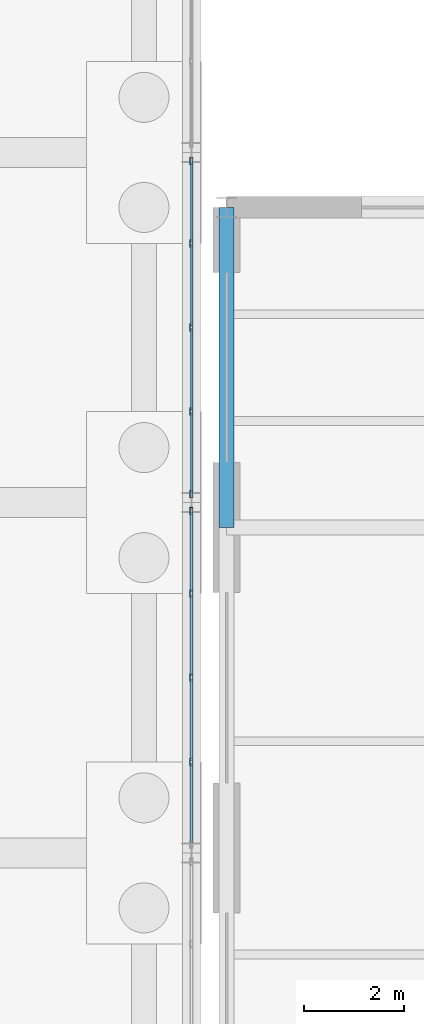
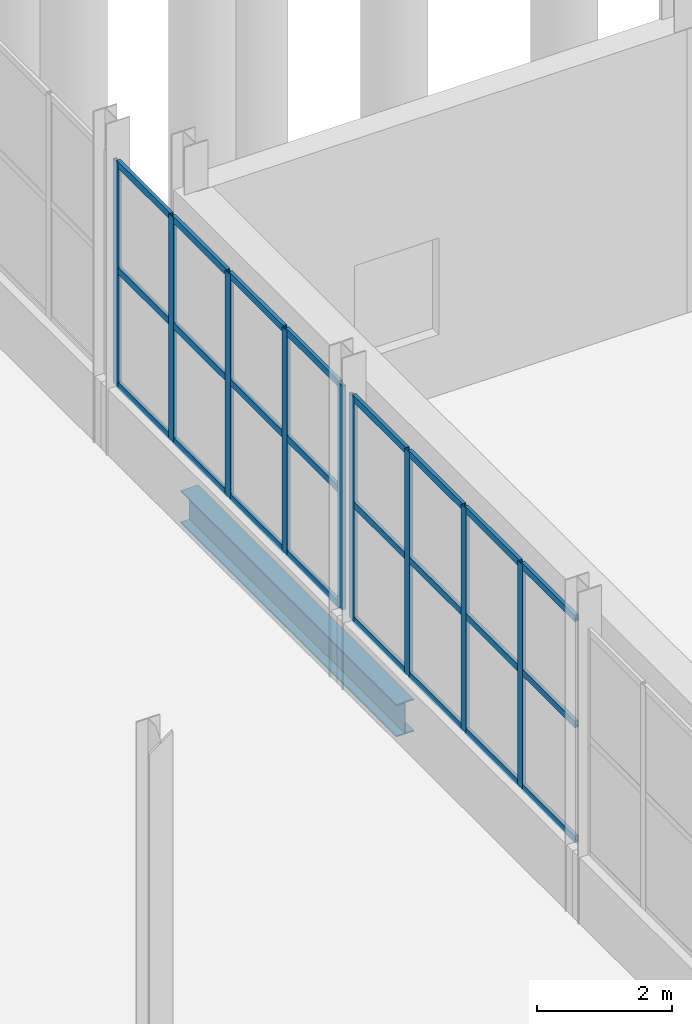
# One storey, part 63 of 139: 33 members, 1 beam, 2 elements without a shape of their own.
"""IFC4 building model written with IfcOpenShell, lengths in metres."""

from ifc_helpers import new_model, si_unit, direction, frame, origin, origin_2d, place, context, subcontext, project, spatial, hollow_rectangle, i_section, extrude, material, material_profile, profile_set, type_object, element, aggregate, save


model = new_model("IFC4")

# Units and contexts
model_context = context("Model", 3, precision=1e-05, world=origin(), true_north=direction((0.0, 1.0)))
body_context = subcontext(model_context, "Body", "Model", "MODEL_VIEW")
ifc_project = project(units=[si_unit("LENGTHUNIT", "METRE"), si_unit("AREAUNIT", "SQUARE_METRE"), si_unit("VOLUMEUNIT", "CUBIC_METRE"), si_unit("PLANEANGLEUNIT", "RADIAN"), si_unit("MASSUNIT", "GRAM", prefix="KILO")], contexts=[model_context])

# Site, building, storey
site_placement = place(None, origin())
site = spatial("IfcSite", under=ifc_project, at=site_placement, CompositionType="ELEMENT")
building_placement = place(site_placement, origin())
building = spatial("IfcBuilding", under=site, at=building_placement, Name="Kazenagashi Tramway Depot", CompositionType="ELEMENT")
storey_placement = place(building_placement, origin())
storey = spatial("IfcBuildingStorey", under=building, at=storey_placement, Name="L01", CompositionType="ELEMENT", Elevation=0.0)

# Curtain wall, members
ifc_material_1 = material(Name="Anodised Aluminium and Low-E Glazing", Category="aluminium")
curtain_wall_type = type_object("IfcCurtainWallType", Name="CW-33", PredefinedType="USERDEFINED", material=ifc_material_1)
curtain_wall_1_placement = place(storey_placement, origin())
curtain_wall_1 = element("IfcCurtainWall", 1, at=curtain_wall_1_placement, inside=storey, type_object=curtain_wall_type, Name="Industrial Glazed Screen CW-33 CW-0191", ObjectType="GLAZED SCREEN", PredefinedType="USERDEFINED")
ifc_material_2 = material(Name="Anodised Aluminium", Category="aluminium")
ifc_material_profile_1 = material_profile(ifc_material_2, hollow_rectangle(XDim=0.06, YDim=0.15, WallThickness=0.004, at=origin_2d()), Name="RHS-150x60x4")
ifc_profile_set_1 = profile_set([ifc_material_profile_1], Name="Anodised Aluminium")
member_type_1 = type_object("IfcMemberType", Name="ML-01", PredefinedType="MULLION", material=ifc_profile_set_1)
member_1_placement = place(storey_placement, frame((44.1, 43.82, 1.2), z_axis=(0.0, 0.0, 1.0), x_axis=(-1.0, 0.0, 0.0)))
member_1 = element("IfcMember", 2, at=member_1_placement, type_object=member_type_1, Name="CW-33 mullion 2", PredefinedType="MULLION", context=body_context, shape_type="SweptSolid", body=[
    extrude(hollow_rectangle(XDim=0.06, YDim=0.15, WallThickness=0.004, at=origin_2d()), origin(), (0.0, 0.0, 1.0), 4.062),
])
member_2_placement = place(storey_placement, frame((44.1, 45.5, 1.2), z_axis=(0.0, 0.0, 1.0), x_axis=(-1.0, 0.0, 0.0)))
member_2 = element("IfcMember", 3, at=member_2_placement, type_object=member_type_1, Name="CW-33 mullion 3", PredefinedType="MULLION", context=body_context, shape_type="SweptSolid", body=[
    extrude(hollow_rectangle(XDim=0.06, YDim=0.15, WallThickness=0.004, at=origin_2d()), origin(), (0.0, 0.0, 1.0), 4.062),
])
member_3_placement = place(storey_placement, frame((44.1, 47.18, 1.2), z_axis=(0.0, 0.0, 1.0), x_axis=(-1.0, 0.0, 0.0)))
member_3 = element("IfcMember", 4, at=member_3_placement, type_object=member_type_1, Name="CW-33 mullion 4", PredefinedType="MULLION", context=body_context, shape_type="SweptSolid", body=[
    extrude(hollow_rectangle(XDim=0.06, YDim=0.15, WallThickness=0.004, at=origin_2d()), origin(), (0.0, 0.0, 1.0), 4.062),
])
member_4_placement = place(storey_placement, frame((44.1, 48.83, 1.2), z_axis=(0.0, 0.0, 1.0), x_axis=(-1.0, 0.0, 0.0)))
member_4 = element("IfcMember", 5, at=member_4_placement, type_object=member_type_1, Name="CW-33 mullion 5", PredefinedType="MULLION", context=body_context, shape_type="SweptSolid", body=[
    extrude(hollow_rectangle(XDim=0.06, YDim=0.15, WallThickness=0.004, at=origin_2d()), origin(), (0.0, 0.0, 1.0), 4.062),
])

curtain_wall_2_placement = place(storey_placement, origin())
curtain_wall_2 = element("IfcCurtainWall", 6, at=curtain_wall_2_placement, inside=storey, type_object=curtain_wall_type, Name="Industrial Glazed Screen CW-33 CW-0193", ObjectType="GLAZED SCREEN", PredefinedType="USERDEFINED")
member_5_placement = place(storey_placement, frame((44.1, 49.17, 1.2), z_axis=(0.0, 0.0, 1.0), x_axis=(-1.0, 0.0, 0.0)))
member_5 = element("IfcMember", 7, at=member_5_placement, type_object=member_type_1, Name="CW-33 mullion 1", PredefinedType="MULLION", context=body_context, shape_type="SweptSolid", body=[
    extrude(hollow_rectangle(XDim=0.06, YDim=0.15, WallThickness=0.004, at=origin_2d()), origin(), (0.0, 0.0, 1.0), 4.062),
])
member_6_placement = place(storey_placement, frame((44.1, 50.82, 1.2), z_axis=(0.0, 0.0, 1.0), x_axis=(-1.0, 0.0, 0.0)))
member_6 = element("IfcMember", 8, at=member_6_placement, type_object=member_type_1, Name="CW-33 mullion 2", PredefinedType="MULLION", context=body_context, shape_type="SweptSolid", body=[
    extrude(hollow_rectangle(XDim=0.06, YDim=0.15, WallThickness=0.004, at=origin_2d()), origin(), (0.0, 0.0, 1.0), 4.062),
])
member_7_placement = place(storey_placement, frame((44.1, 52.5, 1.2), z_axis=(0.0, 0.0, 1.0), x_axis=(-1.0, 0.0, 0.0)))
member_7 = element("IfcMember", 9, at=member_7_placement, type_object=member_type_1, Name="CW-33 mullion 3", PredefinedType="MULLION", context=body_context, shape_type="SweptSolid", body=[
    extrude(hollow_rectangle(XDim=0.06, YDim=0.15, WallThickness=0.004, at=origin_2d()), origin(), (0.0, 0.0, 1.0), 4.062),
])
member_8_placement = place(storey_placement, frame((44.1, 54.18, 1.2), z_axis=(0.0, 0.0, 1.0), x_axis=(-1.0, 0.0, 0.0)))
member_8 = element("IfcMember", 10, at=member_8_placement, type_object=member_type_1, Name="CW-33 mullion 4", PredefinedType="MULLION", context=body_context, shape_type="SweptSolid", body=[
    extrude(hollow_rectangle(XDim=0.06, YDim=0.15, WallThickness=0.004, at=origin_2d()), origin(), (0.0, 0.0, 1.0), 4.062),
])
member_9_placement = place(storey_placement, frame((44.1, 55.83, 1.2), z_axis=(0.0, 0.0, 1.0), x_axis=(-1.0, 0.0, 0.0)))
member_9 = element("IfcMember", 11, at=member_9_placement, type_object=member_type_1, Name="CW-33 mullion 5", PredefinedType="MULLION", context=body_context, shape_type="SweptSolid", body=[
    extrude(hollow_rectangle(XDim=0.06, YDim=0.15, WallThickness=0.004, at=origin_2d()), origin(), (0.0, 0.0, 1.0), 4.062),
])

# Beam
ifc_material_3 = material(Name="Steel SN490B", Category="steel")
ifc_material_profile_2 = material_profile(ifc_material_3, i_section(OverallWidth=0.3, OverallDepth=0.588, WebThickness=0.012, FlangeThickness=0.02, at=origin_2d()), Name="H-588x300x12x20")
ifc_profile_set_2 = profile_set([ifc_material_profile_2], Name="Steel SN490B")
beam_type = type_object("IfcBeamType", Name="SP-01", PredefinedType="SPANDREL", material=ifc_profile_set_2)
beam_placement = place(storey_placement, frame((44.8, 48.5, -0.644), z_axis=(0.0, 1.0, 0.0), x_axis=(-1.0, 0.0, 0.0)))
element("IfcBeam", 12, at=beam_placement, inside=storey, type_object=beam_type, Name="Beam SP-01 BM-0810", PredefinedType="SPANDREL", context=body_context, shape_type="SweptSolid", body=[
    extrude(i_section(OverallWidth=0.3, OverallDepth=0.588, WebThickness=0.012, FlangeThickness=0.02, at=origin_2d()), origin(), (0.0, 0.0, 1.0), 6.4),
])

# Member
ifc_material_profile_3 = material_profile(ifc_material_2, hollow_rectangle(XDim=0.06, YDim=0.12, WallThickness=0.004, at=origin_2d()), Name="RHS-120x60x4")
ifc_profile_set_3 = profile_set([ifc_material_profile_3], Name="Anodised Aluminium")
member_type_2 = type_object("IfcMemberType", Name="TR-01", PredefinedType="USERDEFINED", material=ifc_profile_set_3)
member_10_placement = place(storey_placement, frame((44.1, 42.2, 1.23), z_axis=(0.0, 1.0, 0.0), x_axis=(-1.0, 0.0, 0.0)))
member_10 = element("IfcMember", 13, at=member_10_placement, type_object=member_type_2, Name="CW-33 transom 1.1", ObjectType="TRANSOM", PredefinedType="USERDEFINED", context=body_context, shape_type="SweptSolid", body=[
    extrude(hollow_rectangle(XDim=0.06, YDim=0.12, WallThickness=0.004, at=origin_2d()), origin(), (0.0, 0.0, 1.0), 1.59),
])

member_11_placement = place(storey_placement, frame((44.1, 42.2, 3.312), z_axis=(0.0, 1.0, 0.0), x_axis=(-1.0, 0.0, 0.0)))
member_11 = element("IfcMember", 14, at=member_11_placement, type_object=member_type_2, Name="CW-33 transom 1.2", ObjectType="TRANSOM", PredefinedType="USERDEFINED", context=body_context, shape_type="SweptSolid", body=[
    extrude(hollow_rectangle(XDim=0.06, YDim=0.12, WallThickness=0.004, at=origin_2d()), origin(), (0.0, 0.0, 1.0), 1.59),
])

member_12_placement = place(storey_placement, frame((44.1, 42.2, 5.232), z_axis=(0.0, 1.0, 0.0), x_axis=(-1.0, 0.0, 0.0)))
member_12 = element("IfcMember", 15, at=member_12_placement, type_object=member_type_2, Name="CW-33 transom 1.3", ObjectType="TRANSOM", PredefinedType="USERDEFINED", context=body_context, shape_type="SweptSolid", body=[
    extrude(hollow_rectangle(XDim=0.06, YDim=0.12, WallThickness=0.004, at=origin_2d()), origin(), (0.0, 0.0, 1.0), 1.59),
])

member_13_placement = place(storey_placement, frame((44.1, 43.85, 1.23), z_axis=(0.0, 1.0, 0.0), x_axis=(-1.0, 0.0, 0.0)))
member_13 = element("IfcMember", 16, at=member_13_placement, type_object=member_type_2, Name="CW-33 transom 2.1", ObjectType="TRANSOM", PredefinedType="USERDEFINED", context=body_context, shape_type="SweptSolid", body=[
    extrude(hollow_rectangle(XDim=0.06, YDim=0.12, WallThickness=0.004, at=origin_2d()), origin(), (0.0, 0.0, 1.0), 1.62),
])

member_14_placement = place(storey_placement, frame((44.1, 43.85, 3.312), z_axis=(0.0, 1.0, 0.0), x_axis=(-1.0, 0.0, 0.0)))
member_14 = element("IfcMember", 17, at=member_14_placement, type_object=member_type_2, Name="CW-33 transom 2.2", ObjectType="TRANSOM", PredefinedType="USERDEFINED", context=body_context, shape_type="SweptSolid", body=[
    extrude(hollow_rectangle(XDim=0.06, YDim=0.12, WallThickness=0.004, at=origin_2d()), origin(), (0.0, 0.0, 1.0), 1.62),
])

member_15_placement = place(storey_placement, frame((44.1, 43.85, 5.232), z_axis=(0.0, 1.0, 0.0), x_axis=(-1.0, 0.0, 0.0)))
member_15 = element("IfcMember", 18, at=member_15_placement, type_object=member_type_2, Name="CW-33 transom 2.3", ObjectType="TRANSOM", PredefinedType="USERDEFINED", context=body_context, shape_type="SweptSolid", body=[
    extrude(hollow_rectangle(XDim=0.06, YDim=0.12, WallThickness=0.004, at=origin_2d()), origin(), (0.0, 0.0, 1.0), 1.62),
])

member_16_placement = place(storey_placement, frame((44.1, 45.53, 1.23), z_axis=(0.0, 1.0, 0.0), x_axis=(-1.0, 0.0, 0.0)))
member_16 = element("IfcMember", 19, at=member_16_placement, type_object=member_type_2, Name="CW-33 transom 3.1", ObjectType="TRANSOM", PredefinedType="USERDEFINED", context=body_context, shape_type="SweptSolid", body=[
    extrude(hollow_rectangle(XDim=0.06, YDim=0.12, WallThickness=0.004, at=origin_2d()), origin(), (0.0, 0.0, 1.0), 1.62),
])

member_17_placement = place(storey_placement, frame((44.1, 45.53, 3.312), z_axis=(0.0, 1.0, 0.0), x_axis=(-1.0, 0.0, 0.0)))
member_17 = element("IfcMember", 20, at=member_17_placement, type_object=member_type_2, Name="CW-33 transom 3.2", ObjectType="TRANSOM", PredefinedType="USERDEFINED", context=body_context, shape_type="SweptSolid", body=[
    extrude(hollow_rectangle(XDim=0.06, YDim=0.12, WallThickness=0.004, at=origin_2d()), origin(), (0.0, 0.0, 1.0), 1.62),
])

member_18_placement = place(storey_placement, frame((44.1, 45.53, 5.232), z_axis=(0.0, 1.0, 0.0), x_axis=(-1.0, 0.0, 0.0)))
member_18 = element("IfcMember", 21, at=member_18_placement, type_object=member_type_2, Name="CW-33 transom 3.3", ObjectType="TRANSOM", PredefinedType="USERDEFINED", context=body_context, shape_type="SweptSolid", body=[
    extrude(hollow_rectangle(XDim=0.06, YDim=0.12, WallThickness=0.004, at=origin_2d()), origin(), (0.0, 0.0, 1.0), 1.62),
])

member_19_placement = place(storey_placement, frame((44.1, 47.21, 1.23), z_axis=(0.0, 1.0, 0.0), x_axis=(-1.0, 0.0, 0.0)))
member_19 = element("IfcMember", 22, at=member_19_placement, type_object=member_type_2, Name="CW-33 transom 4.1", ObjectType="TRANSOM", PredefinedType="USERDEFINED", context=body_context, shape_type="SweptSolid", body=[
    extrude(hollow_rectangle(XDim=0.06, YDim=0.12, WallThickness=0.004, at=origin_2d()), origin(), (0.0, 0.0, 1.0), 1.59),
])

member_20_placement = place(storey_placement, frame((44.1, 47.21, 3.312), z_axis=(0.0, 1.0, 0.0), x_axis=(-1.0, 0.0, 0.0)))
member_20 = element("IfcMember", 23, at=member_20_placement, type_object=member_type_2, Name="CW-33 transom 4.2", ObjectType="TRANSOM", PredefinedType="USERDEFINED", context=body_context, shape_type="SweptSolid", body=[
    extrude(hollow_rectangle(XDim=0.06, YDim=0.12, WallThickness=0.004, at=origin_2d()), origin(), (0.0, 0.0, 1.0), 1.59),
])

member_21_placement = place(storey_placement, frame((44.1, 47.21, 5.232), z_axis=(0.0, 1.0, 0.0), x_axis=(-1.0, 0.0, 0.0)))
member_21 = element("IfcMember", 24, at=member_21_placement, type_object=member_type_2, Name="CW-33 transom 4.3", ObjectType="TRANSOM", PredefinedType="USERDEFINED", context=body_context, shape_type="SweptSolid", body=[
    extrude(hollow_rectangle(XDim=0.06, YDim=0.12, WallThickness=0.004, at=origin_2d()), origin(), (0.0, 0.0, 1.0), 1.59),
])

aggregate(curtain_wall_1, [member_1, member_2, member_3, member_4, member_10, member_11, member_12, member_13, member_14, member_15, member_16, member_17, member_18, member_19, member_20, member_21])

member_22_placement = place(storey_placement, frame((44.1, 49.2, 1.23), z_axis=(0.0, 1.0, 0.0), x_axis=(-1.0, 0.0, 0.0)))
member_22 = element("IfcMember", 25, at=member_22_placement, type_object=member_type_2, Name="CW-33 transom 1.1", ObjectType="TRANSOM", PredefinedType="USERDEFINED", context=body_context, shape_type="SweptSolid", body=[
    extrude(hollow_rectangle(XDim=0.06, YDim=0.12, WallThickness=0.004, at=origin_2d()), origin(), (0.0, 0.0, 1.0), 1.59),
])

member_23_placement = place(storey_placement, frame((44.1, 49.2, 3.312), z_axis=(0.0, 1.0, 0.0), x_axis=(-1.0, 0.0, 0.0)))
member_23 = element("IfcMember", 26, at=member_23_placement, type_object=member_type_2, Name="CW-33 transom 1.2", ObjectType="TRANSOM", PredefinedType="USERDEFINED", context=body_context, shape_type="SweptSolid", body=[
    extrude(hollow_rectangle(XDim=0.06, YDim=0.12, WallThickness=0.004, at=origin_2d()), origin(), (0.0, 0.0, 1.0), 1.59),
])

member_24_placement = place(storey_placement, frame((44.1, 49.2, 5.232), z_axis=(0.0, 1.0, 0.0), x_axis=(-1.0, 0.0, 0.0)))
member_24 = element("IfcMember", 27, at=member_24_placement, type_object=member_type_2, Name="CW-33 transom 1.3", ObjectType="TRANSOM", PredefinedType="USERDEFINED", context=body_context, shape_type="SweptSolid", body=[
    extrude(hollow_rectangle(XDim=0.06, YDim=0.12, WallThickness=0.004, at=origin_2d()), origin(), (0.0, 0.0, 1.0), 1.59),
])

member_25_placement = place(storey_placement, frame((44.1, 50.85, 1.23), z_axis=(0.0, 1.0, 0.0), x_axis=(-1.0, 0.0, 0.0)))
member_25 = element("IfcMember", 28, at=member_25_placement, type_object=member_type_2, Name="CW-33 transom 2.1", ObjectType="TRANSOM", PredefinedType="USERDEFINED", context=body_context, shape_type="SweptSolid", body=[
    extrude(hollow_rectangle(XDim=0.06, YDim=0.12, WallThickness=0.004, at=origin_2d()), origin(), (0.0, 0.0, 1.0), 1.62),
])

member_26_placement = place(storey_placement, frame((44.1, 50.85, 3.312), z_axis=(0.0, 1.0, 0.0), x_axis=(-1.0, 0.0, 0.0)))
member_26 = element("IfcMember", 29, at=member_26_placement, type_object=member_type_2, Name="CW-33 transom 2.2", ObjectType="TRANSOM", PredefinedType="USERDEFINED", context=body_context, shape_type="SweptSolid", body=[
    extrude(hollow_rectangle(XDim=0.06, YDim=0.12, WallThickness=0.004, at=origin_2d()), origin(), (0.0, 0.0, 1.0), 1.62),
])

member_27_placement = place(storey_placement, frame((44.1, 50.85, 5.232), z_axis=(0.0, 1.0, 0.0), x_axis=(-1.0, 0.0, 0.0)))
member_27 = element("IfcMember", 30, at=member_27_placement, type_object=member_type_2, Name="CW-33 transom 2.3", ObjectType="TRANSOM", PredefinedType="USERDEFINED", context=body_context, shape_type="SweptSolid", body=[
    extrude(hollow_rectangle(XDim=0.06, YDim=0.12, WallThickness=0.004, at=origin_2d()), origin(), (0.0, 0.0, 1.0), 1.62),
])

member_28_placement = place(storey_placement, frame((44.1, 52.53, 1.23), z_axis=(0.0, 1.0, 0.0), x_axis=(-1.0, 0.0, 0.0)))
member_28 = element("IfcMember", 31, at=member_28_placement, type_object=member_type_2, Name="CW-33 transom 3.1", ObjectType="TRANSOM", PredefinedType="USERDEFINED", context=body_context, shape_type="SweptSolid", body=[
    extrude(hollow_rectangle(XDim=0.06, YDim=0.12, WallThickness=0.004, at=origin_2d()), origin(), (0.0, 0.0, 1.0), 1.62),
])

member_29_placement = place(storey_placement, frame((44.1, 52.53, 3.312), z_axis=(0.0, 1.0, 0.0), x_axis=(-1.0, 0.0, 0.0)))
member_29 = element("IfcMember", 32, at=member_29_placement, type_object=member_type_2, Name="CW-33 transom 3.2", ObjectType="TRANSOM", PredefinedType="USERDEFINED", context=body_context, shape_type="SweptSolid", body=[
    extrude(hollow_rectangle(XDim=0.06, YDim=0.12, WallThickness=0.004, at=origin_2d()), origin(), (0.0, 0.0, 1.0), 1.62),
])

member_30_placement = place(storey_placement, frame((44.1, 52.53, 5.232), z_axis=(0.0, 1.0, 0.0), x_axis=(-1.0, 0.0, 0.0)))
member_30 = element("IfcMember", 33, at=member_30_placement, type_object=member_type_2, Name="CW-33 transom 3.3", ObjectType="TRANSOM", PredefinedType="USERDEFINED", context=body_context, shape_type="SweptSolid", body=[
    extrude(hollow_rectangle(XDim=0.06, YDim=0.12, WallThickness=0.004, at=origin_2d()), origin(), (0.0, 0.0, 1.0), 1.62),
])

member_31_placement = place(storey_placement, frame((44.1, 54.21, 1.23), z_axis=(0.0, 1.0, 0.0), x_axis=(-1.0, 0.0, 0.0)))
member_31 = element("IfcMember", 34, at=member_31_placement, type_object=member_type_2, Name="CW-33 transom 4.1", ObjectType="TRANSOM", PredefinedType="USERDEFINED", context=body_context, shape_type="SweptSolid", body=[
    extrude(hollow_rectangle(XDim=0.06, YDim=0.12, WallThickness=0.004, at=origin_2d()), origin(), (0.0, 0.0, 1.0), 1.59),
])

member_32_placement = place(storey_placement, frame((44.1, 54.21, 3.312), z_axis=(0.0, 1.0, 0.0), x_axis=(-1.0, 0.0, 0.0)))
member_32 = element("IfcMember", 35, at=member_32_placement, type_object=member_type_2, Name="CW-33 transom 4.2", ObjectType="TRANSOM", PredefinedType="USERDEFINED", context=body_context, shape_type="SweptSolid", body=[
    extrude(hollow_rectangle(XDim=0.06, YDim=0.12, WallThickness=0.004, at=origin_2d()), origin(), (0.0, 0.0, 1.0), 1.59),
])

member_33_placement = place(storey_placement, frame((44.1, 54.21, 5.232), z_axis=(0.0, 1.0, 0.0), x_axis=(-1.0, 0.0, 0.0)))
member_33 = element("IfcMember", 36, at=member_33_placement, type_object=member_type_2, Name="CW-33 transom 4.3", ObjectType="TRANSOM", PredefinedType="USERDEFINED", context=body_context, shape_type="SweptSolid", body=[
    extrude(hollow_rectangle(XDim=0.06, YDim=0.12, WallThickness=0.004, at=origin_2d()), origin(), (0.0, 0.0, 1.0), 1.59),
])

aggregate(curtain_wall_2, [member_5, member_6, member_7, member_8, member_9, member_22, member_23, member_24, member_25, member_26, member_27, member_28, member_29, member_30, member_31, member_32, member_33])

save(model, "model.ifc")
